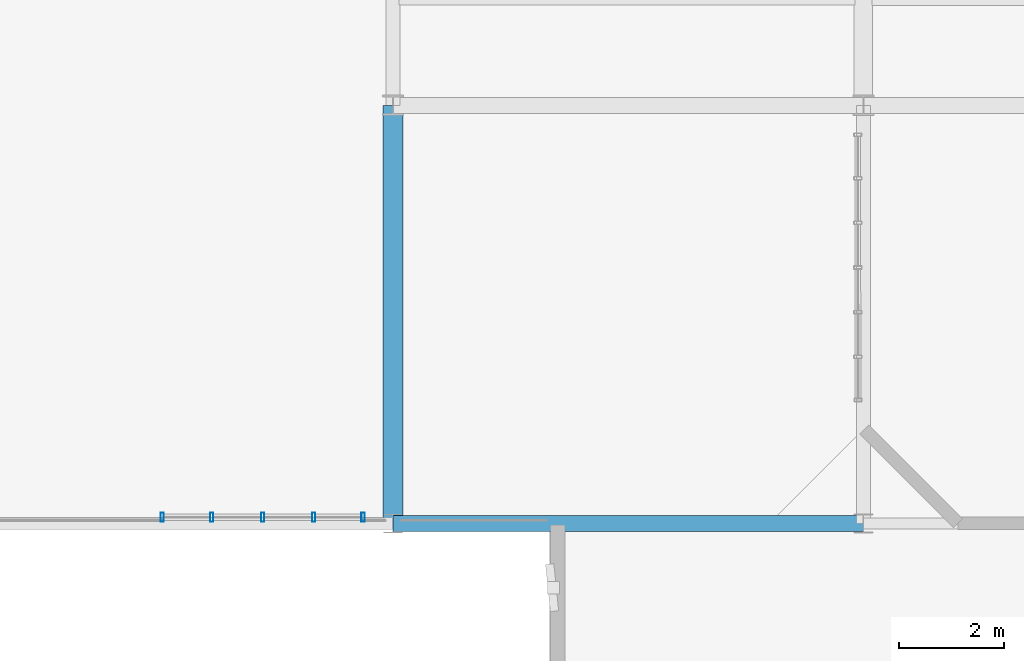
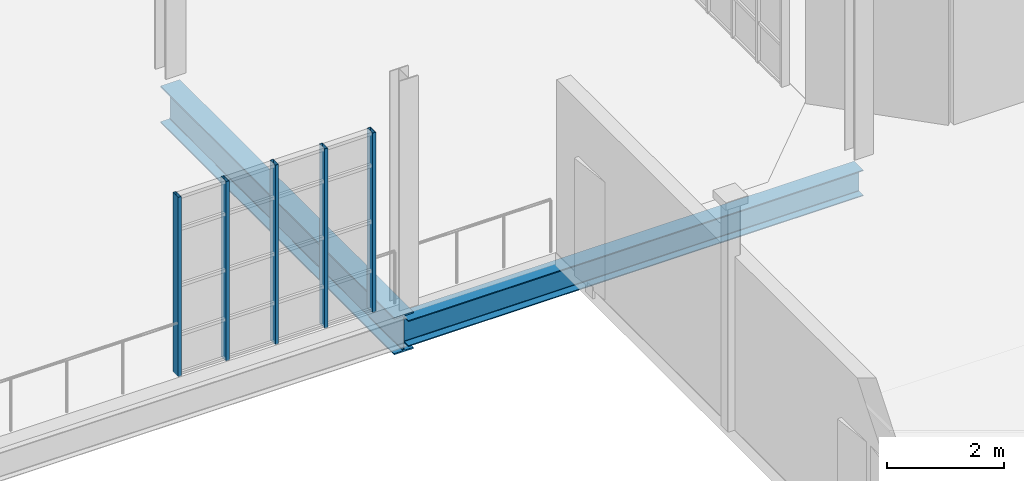
# One storey, part 8 of 85: 5 members, 2 beams, 1 element without a shape of its own.
"""IFC4 building model written with IfcOpenShell, lengths in metres."""

from ifc_helpers import new_model, si_unit, direction, frame, origin, origin_2d, place, context, subcontext, project, spatial, hollow_rectangle, i_section, extrude, material, layer, layer_set, material_profile, profile_set, type_object, element, aggregate, save


model = new_model("IFC4")

# Units and contexts
model_context = context("Model", 3, precision=1e-05, world=origin(), true_north=direction((0.0, 1.0)))
body_context = subcontext(model_context, "Body", "Model", "MODEL_VIEW")
ifc_project = project(units=[si_unit("LENGTHUNIT", "METRE"), si_unit("AREAUNIT", "SQUARE_METRE"), si_unit("VOLUMEUNIT", "CUBIC_METRE"), si_unit("PLANEANGLEUNIT", "RADIAN"), si_unit("MASSUNIT", "GRAM", prefix="KILO"), si_unit("THERMODYNAMICTEMPERATUREUNIT", "KELVIN"), si_unit("POWERUNIT", "WATT")], contexts=[model_context])

# Site, building, storey
site_placement = place(None, origin())
site = spatial("IfcSite", under=ifc_project, at=site_placement, CompositionType="ELEMENT")
building_placement = place(site_placement, origin())
building = spatial("IfcBuilding", under=site, at=building_placement, Name="Zelmaris Science Centre", CompositionType="ELEMENT")
storey_placement = place(building_placement, frame((0.0, 0.0, 20.39990234375)))
storey = spatial("IfcBuildingStorey", under=building, at=storey_placement, Name="L04", CompositionType="ELEMENT", Elevation=20.39990234375)

# Curtain wall, members
ifc_material_1 = material(Name="Anodised architectural aluminium 6063-T6", Category="aluminium")
ifc_layer = layer(ifc_material_1, 0.2099609375, Name="Anodised architectural aluminium 6063-T6")
ifc_layer_set = layer_set([ifc_layer], Name="Anodised architectural aluminium 6063-T6")
curtain_wall_type = type_object("IfcCurtainWallType", Name="Curtain Wall CW-03", PredefinedType="USERDEFINED", material=ifc_layer_set)
curtain_wall_placement = place(storey_placement, origin())
curtain_wall = element("IfcCurtainWall", 1, at=curtain_wall_placement, inside=storey, type_object=curtain_wall_type, Name="L04 Unitised curtain wall 355", ObjectType="GLAZED CURTAIN WALL", PredefinedType="USERDEFINED")
ifc_material_profile_1 = material_profile(ifc_material_1, hollow_rectangle(XDim=0.06494140625, YDim=0.179931640625, WallThickness=0.00390625, at=origin_2d()), Name="ALU-MUL-65X180")
ifc_profile_set_1 = profile_set([ifc_material_profile_1], Name="Anodised architectural aluminium 6063-T6")
member_type = type_object("IfcMemberType", Name="ALU-MUL-65X180", PredefinedType="MULLION", material=ifc_profile_set_1)
member_1_placement = place(storey_placement, frame((71.431396484375, 64.1201171875, -0.014892578125), z_axis=(0.0, 0.0, 1.0), x_axis=(-0.999999999994, 3.490659e-06, 0.0)))
member_1 = element("IfcMember", 2, at=member_1_placement, type_object=member_type, Name="CW-03 mullion 1", PredefinedType="MULLION", context=body_context, shape_type="SweptSolid", body=[
    extrude(hollow_rectangle(XDim=0.06494140625, YDim=0.179931640625, WallThickness=0.00390625, at=origin_2d()), origin(), (0.0, 0.0, 1.0), 3.7529296875),
])
member_2_placement = place(storey_placement, frame((70.485107421875, 64.1201171875, -0.014892578125), z_axis=(0.0, 0.0, 1.0), x_axis=(-0.999999999994, 3.490659e-06, 0.0)))
member_2 = element("IfcMember", 3, at=member_2_placement, type_object=member_type, Name="CW-03 mullion 2", PredefinedType="MULLION", context=body_context, shape_type="SweptSolid", body=[
    extrude(hollow_rectangle(XDim=0.06494140625, YDim=0.179931640625, WallThickness=0.00390625, at=origin_2d()), origin(), (0.0, 0.0, 1.0), 3.7529296875),
])
member_3_placement = place(storey_placement, frame((69.510009765625, 64.1201171875, -0.014892578125), z_axis=(0.0, 0.0, 1.0), x_axis=(-0.999999999994, 3.490659e-06, 0.0)))
member_3 = element("IfcMember", 4, at=member_3_placement, type_object=member_type, Name="CW-03 mullion 3", PredefinedType="MULLION", context=body_context, shape_type="SweptSolid", body=[
    extrude(hollow_rectangle(XDim=0.06494140625, YDim=0.179931640625, WallThickness=0.00390625, at=origin_2d()), origin(), (0.0, 0.0, 1.0), 3.7529296875),
])
member_4_placement = place(storey_placement, frame((68.534912109375, 64.1201171875, -0.014892578125), z_axis=(0.0, 0.0, 1.0), x_axis=(-0.999999999994, 3.490659e-06, 0.0)))
member_4 = element("IfcMember", 5, at=member_4_placement, type_object=member_type, Name="CW-03 mullion 4", PredefinedType="MULLION", context=body_context, shape_type="SweptSolid", body=[
    extrude(hollow_rectangle(XDim=0.06494140625, YDim=0.179931640625, WallThickness=0.00390625, at=origin_2d()), origin(), (0.0, 0.0, 1.0), 3.7529296875),
])
member_5_placement = place(storey_placement, frame((67.58837890625, 64.1201171875, -0.014892578125), z_axis=(0.0, 0.0, 1.0), x_axis=(-0.999999999994, 3.490659e-06, 0.0)))
member_5 = element("IfcMember", 6, at=member_5_placement, type_object=member_type, Name="CW-03 mullion 5", PredefinedType="MULLION", context=body_context, shape_type="SweptSolid", body=[
    extrude(hollow_rectangle(XDim=0.06494140625, YDim=0.179931640625, WallThickness=0.00390625, at=origin_2d()), origin(), (0.0, 0.0, 1.0), 3.7529296875),
])
aggregate(curtain_wall, [member_1, member_2, member_3, member_4, member_5])

# Beams
ifc_material_2 = material(Name="Steel ASTM A992 Grade 50", Category="steel")
ifc_material_profile_2 = material_profile(ifc_material_2, i_section(OverallWidth=0.31201171875, OverallDepth=0.5439453125, WebThickness=0.0126953125, FlangeThickness=0.020263671875, FilletRadius=0.013916015625, at=origin_2d()), Name="W21X101")
ifc_profile_set_2 = profile_set([ifc_material_profile_2], Name="Steel ASTM A992 Grade 50")
beam_type_1 = type_object("IfcBeamType", Name="Beam G-18 W21X101", PredefinedType="BEAM", material=ifc_profile_set_2)
beam_1_placement = place(storey_placement, frame((72.0, 64.0, -0.552001953125), z_axis=(1.0, 0.0, 0.0), x_axis=(0.0, 1.0, 0.0)))
element("IfcBeam", 7, at=beam_1_placement, inside=storey, type_object=beam_type_1, Name="L04 East-west girder 848", PredefinedType="BEAM", context=body_context, shape_type="SweptSolid", body=[
    extrude(i_section(OverallWidth=0.31201171875, OverallDepth=0.5439453125, WebThickness=0.0126953125, FlangeThickness=0.020263671875, FilletRadius=0.013916015625, at=origin_2d()), origin(), (0.0, 0.0, 1.0), 9.0),
])
ifc_material_profile_3 = material_profile(ifc_material_2, i_section(OverallWidth=0.381103515625, OverallDepth=0.777099609375, WebThickness=0.01806640625, FlangeThickness=0.030029296875, FilletRadius=0.01904296875, at=origin_2d()), Name="W30X191")
ifc_profile_set_3 = profile_set([ifc_material_profile_3], Name="Steel ASTM A992 Grade 50")
beam_type_2 = type_object("IfcBeamType", Name="Beam G-31 W30X191", PredefinedType="BEAM", material=ifc_profile_set_3)
beam_2_placement = place(storey_placement, frame((72.0, 64.0, -0.638427734375), z_axis=(0.0, 1.0, 0.0), x_axis=(-1.0, 0.0, 0.0)))
element("IfcBeam", 8, at=beam_2_placement, inside=storey, type_object=beam_type_2, Name="L04 North-south girder 826", PredefinedType="BEAM", context=body_context, shape_type="SweptSolid", body=[
    extrude(i_section(OverallWidth=0.381103515625, OverallDepth=0.777099609375, WebThickness=0.01806640625, FlangeThickness=0.030029296875, FilletRadius=0.01904296875, at=origin_2d()), origin(), (0.0, 0.0, 1.0), 8.0),
])

save(model, "model.ifc")
